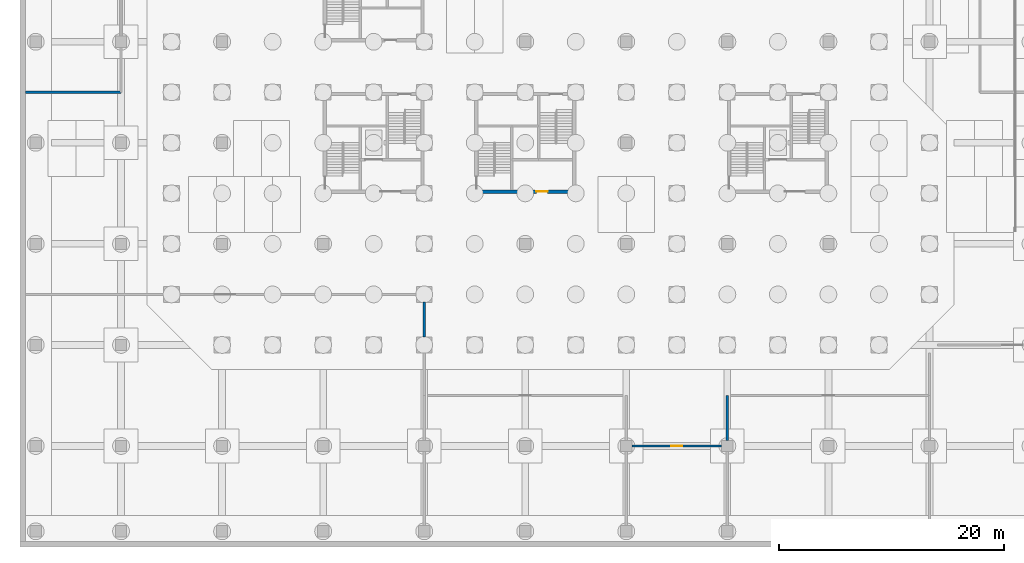
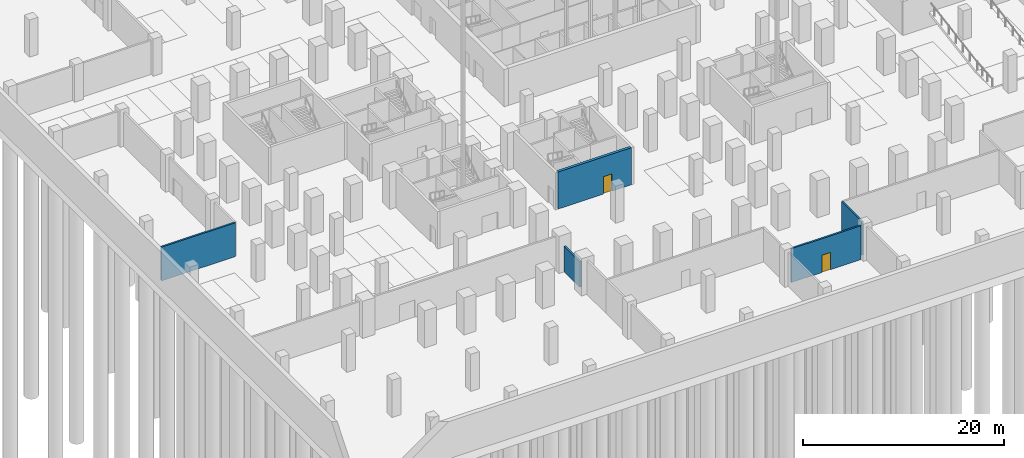
# One storey, part 12 of 37: 5 walls, 2 doors, 2 openings.
"""IFC4 building model written with IfcOpenShell, lengths in metres."""

from ifc_helpers import new_model, si_unit, direction, frame, frame_2d, origin, place, context, subcontext, project, spatial, rectangle, extrude, material, layer, layer_set, type_object, element, fill, save


model = new_model("IFC4")

# Units and contexts
model_context = context("Model", 3, precision=1e-05, world=origin(), true_north=direction((0.0, 1.0)))
body_context = subcontext(model_context, "Body", "Model", "MODEL_VIEW")
ifc_project = project(units=[si_unit("LENGTHUNIT", "METRE"), si_unit("AREAUNIT", "SQUARE_METRE"), si_unit("VOLUMEUNIT", "CUBIC_METRE"), si_unit("PLANEANGLEUNIT", "RADIAN"), si_unit("MASSUNIT", "GRAM", prefix="KILO")], contexts=[model_context])

# Site, building, storey
site_placement = place(None, origin())
site = spatial("IfcSite", under=ifc_project, at=site_placement, CompositionType="ELEMENT")
building_placement = place(site_placement, origin())
building = spatial("IfcBuilding", under=site, at=building_placement, Name="Quoin Convention Tower", CompositionType="ELEMENT")
storey_placement = place(building_placement, frame((0.0, 0.0, -9.0)))
storey = spatial("IfcBuildingStorey", under=building, at=storey_placement, Name="B2", CompositionType="ELEMENT", Elevation=-9.0)

# Wall
ifc_material_1 = material(Name="Plasterboard")
ifc_layer_1 = layer(ifc_material_1, 0.012451171875, Name="Finish")
ifc_material_2 = material(Name="Steel stud framing", Category="steel")
ifc_layer_2 = layer(ifc_material_2, 0.175048828125, Name="Structure")
ifc_layer_3 = layer(ifc_material_1, 0.012451171875, Name="Finish")
ifc_layer_set_1 = layer_set([ifc_layer_1, ifc_layer_2, ifc_layer_3], Name="Steel stud framing")
wall_type_1 = type_object("IfcWallType", Name="Block wall 200", PredefinedType="PARTITIONING", material=ifc_layer_set_1)
wall_1_placement = place(storey_placement, frame((0.5, 40.5, 0.0), z_axis=(0.0, 0.0, 1.0), x_axis=(1.0, 0.0, 0.0)))
element("IfcWall", 1, at=wall_1_placement, inside=storey, type_object=wall_type_1, Name="pw-B2-019", PredefinedType="PARTITIONING", context=body_context, shape_type="SweptSolid", body=[
    extrude(rectangle(XDim=8.5, YDim=0.199951171875, at=frame_2d((4.25, 0.0))), origin(), (0.0, 0.0, 1.0), 4.10009765625),
])

# Wall, opening, door
ifc_layer_4 = layer(ifc_material_1, 0.012451171875, Name="Finish")
ifc_layer_5 = layer(ifc_material_2, 0.175048828125, Name="Structure")
ifc_layer_6 = layer(ifc_material_1, 0.012451171875, Name="Finish")
ifc_layer_set_2 = layer_set([ifc_layer_4, ifc_layer_5, ifc_layer_6], Name="Steel stud framing")
wall_type_2 = type_object("IfcWallType", Name="Plant room wall 200", PredefinedType="PARTITIONING", material=ifc_layer_set_2)
wall_2_placement = place(storey_placement, frame((54.5, 9.0, 0.0), z_axis=(0.0, 0.0, 1.0), x_axis=(1.0, 0.0, 0.0)))
wall_2 = element("IfcWall", 2, at=wall_2_placement, inside=storey, type_object=wall_type_2, Name="pw-B2-007", PredefinedType="PARTITIONING", context=body_context, shape_type="SweptSolid", body=[
    extrude(rectangle(XDim=8.0, YDim=0.199951171875, at=frame_2d((4.0, 0.0))), origin(), (0.0, 0.0, 1.0), 4.10009765625),
])
opening_1_placement = place(wall_2_placement, frame((3.5, 0.0, 0.0)))
opening_1 = element("IfcOpeningElement", 3, at=opening_1_placement, cuts=wall_2, Name="Opening DPDB2-01", PredefinedType="OPENING", context=body_context, shape_type="SweptSolid", body=[
    extrude(rectangle(XDim=1.0, YDim=2.10009765625, at=frame_2d((0.5, 1.050048828125))), frame((0.0, 0.10986328125, 0.0), z_axis=(0.0, -1.0, 0.0), x_axis=(1.0, 0.0, 0.0)), (0.0, 0.0, 1.0), 0.219970703125),
])
ifc_material_3 = material(Name="Steel door leaf", Category="steel")
door_type_1 = type_object("IfcDoorType", Name="Plant door 1000", OperationType="SINGLE_SWING_RIGHT", PredefinedType="DOOR", material=ifc_material_3)
door_1_placement = place(opening_1_placement, origin())
door_1 = element("IfcDoor", 4, at=door_1_placement, inside=storey, type_object=door_type_1, Name="dr-B2-003", OperationType="SINGLE_SWING_RIGHT", OverallHeight=2.10009765625, OverallWidth=1.0, PredefinedType="DOOR", context=body_context, shape_type="SweptSolid", body=[
    extrude(rectangle(XDim=1.0, YDim=2.10009765625, at=frame_2d((0.5, 1.050048828125))), frame((0.0, 0.02490234375, 0.0), z_axis=(0.0, -1.0, 0.0), x_axis=(1.0, 0.0, 0.0)), (0.0, 0.0, 1.0), 0.050048828125),
])
fill(opening_1, door_1)

# Walls
wall_3_placement = place(storey_placement, frame((63.0, 9.5, 0.0), z_axis=(0.0, 0.0, 1.0), x_axis=(0.0, 1.0, 0.0)))
element("IfcWall", 5, at=wall_3_placement, inside=storey, type_object=wall_type_2, Name="pw-B2-009", PredefinedType="PARTITIONING", context=body_context, shape_type="SweptSolid", body=[
    extrude(rectangle(XDim=4.0, YDim=0.199951171875, at=frame_2d((2.0, 0.0))), origin(), (0.0, 0.0, 1.0), 4.10009765625),
])
ifc_layer_7 = layer(ifc_material_1, 0.012451171875, Name="Finish")
ifc_layer_8 = layer(ifc_material_2, 0.175048828125, Name="Structure")
ifc_layer_9 = layer(ifc_material_1, 0.012451171875, Name="Finish")
ifc_layer_set_3 = layer_set([ifc_layer_7, ifc_layer_8, ifc_layer_9], Name="Steel stud framing")
wall_type_3 = type_object("IfcWallType", Name="Plant room wall 200 under beam 1000", PredefinedType="PARTITIONING", material=ifc_layer_set_3)
wall_4_placement = place(storey_placement, frame((36.0, 18.699951171875, 0.0), z_axis=(0.0, 0.0, 1.0), x_axis=(0.0, 1.0, 0.0)))
element("IfcWall", 6, at=wall_4_placement, inside=storey, type_object=wall_type_3, Name="pw-B2-012", PredefinedType="PARTITIONING", context=body_context, shape_type="SweptSolid", body=[
    extrude(rectangle(XDim=3.1201171875, YDim=0.199951171875, at=frame_2d((1.56005859375, 0.0))), origin(), (0.0, 0.0, 1.0), 3.10009765625),
])

# Wall, opening, door
ifc_material_4 = material(Name="Concrete C100 (100 MPa)", Category="concrete")
ifc_layer_10 = layer(ifc_material_4, 0.300048828125)
ifc_layer_set_4 = layer_set([ifc_layer_10], Name="Concrete C100 (100 MPa)")
wall_type_4 = type_object("IfcWallType", Name="RC CORE WALL 300 C100", PredefinedType="SHEAR", material=ifc_layer_set_4)
wall_5_placement = place(storey_placement, frame((40.800048828125, 31.64990234375, 0.0), z_axis=(0.0, 0.0, 1.0), x_axis=(1.0, 0.0, 0.0)))
wall_5 = element("IfcWall", 7, at=wall_5_placement, inside=storey, type_object=wall_type_4, Name="cwl-P3-B2-S", PredefinedType="SHEAR", context=body_context, shape_type="SweptSolid", body=[
    extrude(rectangle(XDim=8.39990234375, YDim=0.300048828125, at=frame_2d((4.199951171875, 0.0))), origin(), (0.0, 0.0, 1.0), 4.5),
])
opening_2_placement = place(wall_5_placement, frame((5.199951171875, 0.0, 0.0)))
opening_2 = element("IfcOpeningElement", 8, at=opening_2_placement, cuts=wall_5, Name="Opening DCV0-61", PredefinedType="OPENING", context=body_context, shape_type="SweptSolid", body=[
    extrude(rectangle(XDim=1.0, YDim=2.10009765625, at=frame_2d((0.5, 1.050048828125))), frame((0.0, 0.159912109375, 0.0), z_axis=(0.0, -1.0, 0.0), x_axis=(1.0, 0.0, 0.0)), (0.0, 0.0, 1.0), 0.320068359375),
])
door_type_2 = type_object("IfcDoorType", Name="Service door 1000 x 2100", OperationType="SINGLE_SWING_LEFT", PredefinedType="DOOR", material=ifc_material_3)
door_2_placement = place(opening_2_placement, frame((1.0, 0.0, 0.0), z_axis=(0.0, 0.0, 1.0), x_axis=(-1.0, 0.0, 0.0)))
door_2 = element("IfcDoor", 9, at=door_2_placement, inside=storey, type_object=door_type_2, Name="cd-P3-B2-R2-S", OperationType="SINGLE_SWING_LEFT", OverallHeight=2.10009765625, OverallWidth=1.0, PredefinedType="DOOR", context=body_context, shape_type="SweptSolid", body=[
    extrude(rectangle(XDim=1.0, YDim=2.10009765625, at=frame_2d((0.5, 1.050048828125))), frame((0.0, 0.02490234375, 0.0), z_axis=(0.0, -1.0, 0.0), x_axis=(1.0, 0.0, 0.0)), (0.0, 0.0, 1.0), 0.050048828125),
])
fill(opening_2, door_2)

save(model, "model.ifc")
